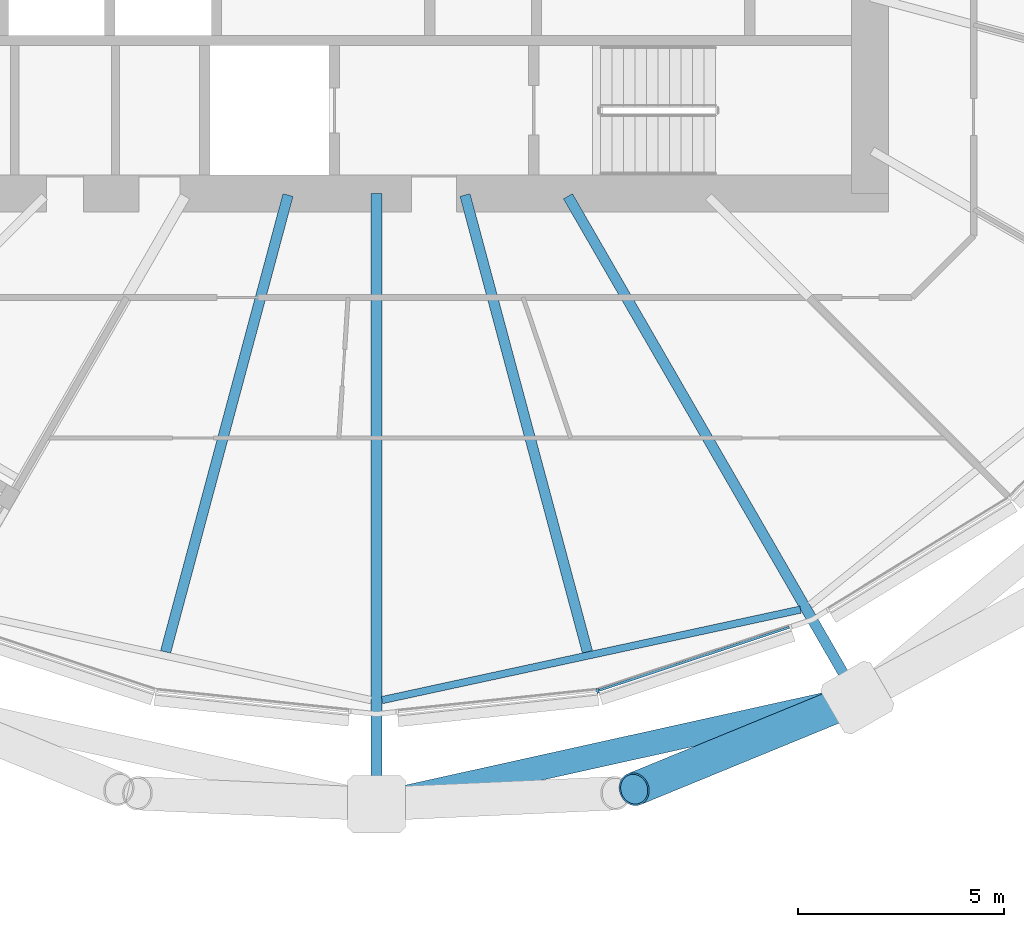
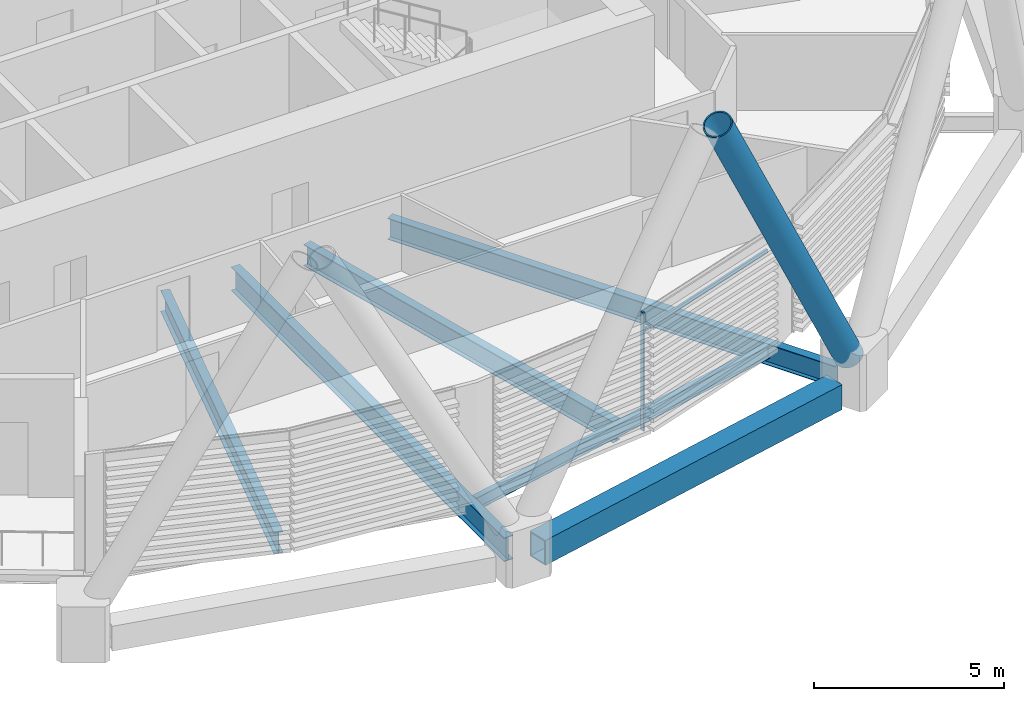
# One storey, part 4 of 40: 6 beams, 3 members, 1 element without a shape of its own.
"""IFC4 building model written with IfcOpenShell, lengths in metres."""

import ifcopenshell
import ifcopenshell.guid

model = None  # the IFC model being written
_history = None  # IfcOwnerHistory: only IFC2X3 demands one
_inside = {}  # id of a spatial element -> (the spatial element, [elements in it])
_under = {}  # id of a project, library or spatial element -> (it, [spatial elements below it])
_declared = {}  # id of a project -> (the project, [libraries it declares])
_typed = {}  # id of a type object -> (the type object, [elements of that type])
_made_of = {}  # id of a material, layer set ... -> (it, [elements and type objects made of it])


def new_model(schema):
    """Start an empty IFC model of exactly this schema.

    Asked for "IFC4X3", IfcOpenShell would pick the latest addendum, in which some entities
    have other attributes; the version numbers below select the first issue.
    IFC2X3 requires an IfcOwnerHistory on every rooted entity: one is made here for all.
    """
    global model, _history
    if schema == "IFC4X3":
        model = ifcopenshell.file(schema_version=(4, 3, 0, 0))
    else:
        model = ifcopenshell.file(schema=schema)
    _inside.clear()
    _under.clear()
    _declared.clear()
    _typed.clear()
    _made_of.clear()
    _history = None
    if model.schema == "IFC2X3":
        org = make("IfcOrganization", Name="unknown")
        user = make(
            "IfcPersonAndOrganization",
            ThePerson=make("IfcPerson", FamilyName="unknown"),
            TheOrganization=org,
        )
        app = make(
            "IfcApplication",
            ApplicationDeveloper=org,
            Version="unknown",
            ApplicationFullName="unknown",
            ApplicationIdentifier="unknown",
        )
        _history = make(
            "IfcOwnerHistory",
            OwningUser=user,
            OwningApplication=app,
            ChangeAction="ADDED",
            CreationDate=0,
        )
    return model


def make(cls, **values):
    """One entity of the class cls with the attributes given. An attribute that is None is left unset."""
    return model.create_entity(
        cls, **{name: value for name, value in values.items() if value is not None}
    )


def rooted(cls, **values):
    """An entity with a GlobalId (a new one), such as an element, a storey or a relation."""
    return make(cls, GlobalId=ifcopenshell.guid.new(), OwnerHistory=_history, **values)


def si_unit(unit_type, name, prefix=None):
    """IfcSIUnit, for example si_unit("LENGTHUNIT", "METRE", prefix="MILLI")."""
    return make("IfcSIUnit", UnitType=unit_type, Prefix=prefix, Name=name)


def assignment(units):
    """IfcUnitAssignment: the units of a project."""
    return None if units is None else make("IfcUnitAssignment", Units=units)


def point(xyz):
    """IfcCartesianPoint."""
    return None if xyz is None else make("IfcCartesianPoint", Coordinates=xyz)


def direction(xyz):
    """IfcDirection."""
    return None if xyz is None else make("IfcDirection", DirectionRatios=xyz)


def frame(location, z_axis=None, x_axis=None):
    """IfcAxis2Placement3D, a coordinate frame: its origin and axes. An axis left out is left unset."""
    return make(
        "IfcAxis2Placement3D",
        Location=point(location),
        Axis=direction(z_axis),
        RefDirection=direction(x_axis),
    )


def frame_2d(location, x_axis=None):
    """IfcAxis2Placement2D, a coordinate frame in the plane: its origin and x axis."""
    return make(
        "IfcAxis2Placement2D", Location=point(location), RefDirection=direction(x_axis)
    )


def origin():
    """The frame at (0, 0, 0) with its axes left unset."""
    return frame((0.0, 0.0, 0.0))


def origin_2d():
    """The frame at (0, 0) in the plane with its x axis left unset."""
    return frame_2d((0.0, 0.0))


def place(relative_to, where):
    """IfcLocalPlacement: puts the frame where relative to a parent placement (None: the world)."""
    return make(
        "IfcLocalPlacement", PlacementRelTo=relative_to, RelativePlacement=where
    )


def context(
    kind, dimensions, precision=None, world=None, true_north=None, identifier=None
):
    """IfcGeometricRepresentationContext, for example the 3D "Model" context."""
    return make(
        "IfcGeometricRepresentationContext",
        ContextIdentifier=identifier,
        ContextType=kind,
        CoordinateSpaceDimension=dimensions,
        Precision=precision,
        WorldCoordinateSystem=world,
        TrueNorth=true_north,
    )


def subcontext(parent, identifier, kind, view, scale=None):
    """IfcGeometricRepresentationSubContext, for example "Body" below "Model"."""
    return make(
        "IfcGeometricRepresentationSubContext",
        ContextIdentifier=identifier,
        ContextType=kind,
        ParentContext=parent,
        TargetScale=scale,
        TargetView=view,
    )


def project(units=None, contexts=None):
    """IfcProject with its units and contexts."""
    return rooted(
        "IfcProject",
        Name="project",
        RepresentationContexts=contexts,
        UnitsInContext=assignment(units),
    )


def spatial(cls, under=None, at=None, **own):
    """A site, building, storey or space (cls), placed at a placement, below another one or the project."""
    s = rooted(cls, ObjectPlacement=at, **own)
    if under is not None:
        _under.setdefault(under.id(), (under, []))[1].append(s)
    return s


def profile(cls, at=None, kind="AREA", **sizes):
    """A parametric profile (cls). Its sizes go by their IFC names, for example OverallWidth=200.0."""
    return make(cls, ProfileType=kind, Position=at, **sizes)


def rectangle(**sizes):
    """IfcRectangleProfileDef."""
    return profile("IfcRectangleProfileDef", **sizes)


def hollow_rectangle(**sizes):
    """IfcRectangleHollowProfileDef."""
    return profile("IfcRectangleHollowProfileDef", **sizes)


def hollow_circle(**sizes):
    """IfcCircleHollowProfileDef."""
    return profile("IfcCircleHollowProfileDef", **sizes)


def i_section(**sizes):
    """IfcIShapeProfileDef."""
    return profile("IfcIShapeProfileDef", **sizes)


def extrude(swept, where, along, depth):
    """IfcExtrudedAreaSolid: the profile swept, set in the frame where, extruded along a direction by depth."""
    return make(
        "IfcExtrudedAreaSolid",
        SweptArea=swept,
        Position=where,
        ExtrudedDirection=direction(along),
        Depth=depth,
    )


def shape(context_of_items, identifier, shape_type, items):
    """IfcShapeRepresentation: the items that make up one representation, for example the "Body"."""
    return make(
        "IfcShapeRepresentation",
        ContextOfItems=context_of_items,
        RepresentationIdentifier=identifier,
        RepresentationType=shape_type,
        Items=items,
    )


def material(Name=None, Category=None):
    """IfcMaterial."""
    return make("IfcMaterial", Name=Name, Category=Category)


def material_profile(
    of_material, cross_section, Name=None, Category=None, Priority=None
):
    """IfcMaterialProfile: a cross section and its material."""
    return make(
        "IfcMaterialProfile",
        Name=Name,
        Material=of_material,
        Profile=cross_section,
        Priority=Priority,
        Category=Category,
    )


def profile_set(profiles, Name=None, composite=None):
    """IfcMaterialProfileSet."""
    return make(
        "IfcMaterialProfileSet",
        Name=Name,
        MaterialProfiles=profiles,
        CompositeProfile=composite,
    )


def made_of(thing, what):
    """Note that an element or type object is made of a material, layer set ...; save() writes the relation."""
    if what is not None:
        _made_of.setdefault(what.id(), (what, []))[1].append(thing)
    return thing


def type_object(cls, material=None, **own):
    """A type object (cls), such as IfcWallType, which elements share."""
    return made_of(rooted(cls, **own), material)


def element(
    cls,
    number,
    at=None,
    inside=None,
    cuts=None,
    type_object=None,
    material=None,
    context=None,
    identifier="Body",
    shape_type=None,
    held_by="IfcProductDefinitionShape",
    body=None,
    shapes=None,
    **own,
):
    """One element of the class cls, such as IfcWall. Its Tag is "e" and its number.

    at: its placement. inside: the storey or other place that contains it. cuts: it is an
    opening in that element (IfcRelVoidsElement). A single representation is given by context,
    identifier, shape_type and body (its items); several are given by shapes. held_by: the class
    of the entity that holds the representations. save() writes the other relations.
    """
    e = rooted(cls, Tag="e%d" % number, ObjectPlacement=at, **own)
    if body is not None:
        shapes = [shape(context, identifier, shape_type, body)]
    if shapes is not None:
        e.Representation = make(held_by, Representations=shapes)
    if inside is not None:
        _inside.setdefault(inside.id(), (inside, []))[1].append(e)
    if cuts is not None:
        rooted(
            "IfcRelVoidsElement", RelatingBuildingElement=cuts, RelatedOpeningElement=e
        )
    if type_object is not None:
        _typed.setdefault(type_object.id(), (type_object, []))[1].append(e)
    return made_of(e, material)


def aggregate(whole, parts):
    """IfcRelAggregates: a whole, such as a stair, and the parts it consists of."""
    return rooted("IfcRelAggregates", RelatingObject=whole, RelatedObjects=parts)


def save(model, path):
    """Write the relations noted so far, then the file.

    IfcRelAggregates (storeys below a building ...), IfcRelContainedInSpatialStructure (elements
    in a storey), IfcRelDefinesByType, IfcRelAssociatesMaterial and IfcRelDeclares: one each for
    every whole, place, type object, material and project.
    """
    for whole, parts in _under.values():
        aggregate(whole, parts)
    for where, things in _inside.values():
        rooted(
            "IfcRelContainedInSpatialStructure",
            RelatedElements=things,
            RelatingStructure=where,
        )
    for kind, things in _typed.values():
        rooted("IfcRelDefinesByType", RelatedObjects=things, RelatingType=kind)
    for what, things in _made_of.values():
        rooted("IfcRelAssociatesMaterial", RelatedObjects=things, RelatingMaterial=what)
    for by, libraries in _declared.values():
        rooted("IfcRelDeclares", RelatingContext=by, RelatedDefinitions=libraries)
    model.write(path)


model = new_model("IFC4")

# Units and contexts
model_context = context("Model", 3, precision=1e-05, world=origin(), true_north=direction((0.0, 1.0)))
body_context = subcontext(model_context, "Body", "Model", "MODEL_VIEW")
ifc_project = project(units=[si_unit("LENGTHUNIT", "METRE"), si_unit("AREAUNIT", "SQUARE_METRE"), si_unit("VOLUMEUNIT", "CUBIC_METRE"), si_unit("PLANEANGLEUNIT", "RADIAN"), si_unit("MASSUNIT", "GRAM", prefix="KILO")], contexts=[model_context])

# Site, building, storey
site_placement = place(None, origin())
site = spatial("IfcSite", under=ifc_project, at=site_placement, CompositionType="ELEMENT")
building_placement = place(site_placement, origin())
building = spatial("IfcBuilding", under=site, at=building_placement, Name="Rimbun Link Towers", CompositionType="ELEMENT")
storey_placement = place(building_placement, frame((0.0, 0.0, 52.800048828125)))
storey = spatial("IfcBuildingStorey", under=building, at=storey_placement, Name="L12", CompositionType="ELEMENT", Elevation=52.800048828125)

# Curtain wall, members
ifc_material_1 = material(Name="Aluminium 6063-T6 and low-iron glass", Category="aluminium")
curtain_wall_type = type_object("IfcCurtainWallType", Name="CW1 unitised vision wall", PredefinedType="NOTDEFINED", material=ifc_material_1)
curtain_wall_placement = place(storey_placement, origin())
curtain_wall = element("IfcCurtainWall", 1, at=curtain_wall_placement, inside=storey, type_object=curtain_wall_type, Name="CW1 L12 T1", PredefinedType="NOTDEFINED")
ifc_material_2 = material(Name="Aluminium 6063-T6", Category="aluminium")
ifc_material_profile_1 = material_profile(ifc_material_2, rectangle(XDim=0.1201171875, YDim=0.06005859375, at=origin_2d()), Name="MULLION 60X120")
ifc_profile_set_1 = profile_set([ifc_material_profile_1], Name="Aluminium 6063-T6")
member_type_1 = type_object("IfcMemberType", Name="CW1 mullion 60X120", PredefinedType="MULLION", material=ifc_profile_set_1)
member_1_placement = place(storey_placement, frame((-26.369384765625, -20.09228515625, 0.0), z_axis=(0.0, 0.0, 1.0), x_axis=(0.210873842747, -0.977513285048, 0.0)))
member_1 = element("IfcMember", 2, at=member_1_placement, type_object=member_type_1, Name="CW1 mullion", PredefinedType="MULLION", context=body_context, shape_type="SweptSolid", body=[
    extrude(rectangle(XDim=0.1201171875, YDim=0.06005859375, at=origin_2d()), origin(), (0.0, 0.0, 1.0), 3.800048828125),
])
ifc_material_3 = material(Name="Aluminium 6063-T6", Category="aluminium")
ifc_material_profile_2 = material_profile(ifc_material_3, rectangle(XDim=0.06005859375, YDim=0.1201171875, at=origin_2d()), Name="TRANSOM 60X120")
ifc_profile_set_2 = profile_set([ifc_material_profile_2], Name="Aluminium 6063-T6")
member_type_2 = type_object("IfcMemberType", Name="CW1 transom 60X120", PredefinedType="USERDEFINED", material=ifc_profile_set_2)
member_2_placement = place(storey_placement, frame((-21.71142578125, -18.547119140625, 3.199951171875), z_axis=(-0.949238170968, -0.314558253392, 0.0), x_axis=(0.314558253392, -0.949238170968, 0.0)))
member_2 = element("IfcMember", 3, at=member_2_placement, type_object=member_type_2, Name="CW1 transom", ObjectType="TRANSOM", PredefinedType="USERDEFINED", context=body_context, shape_type="SweptSolid", body=[
    extrude(rectangle(XDim=0.06005859375, YDim=0.1201171875, at=origin_2d()), origin(), (0.0, 0.0, 1.0), 4.87109375),
])
aggregate(curtain_wall, [member_1, member_2])

# Member
ifc_material_4 = material(Name="Steel S460NH", Category="steel")
ifc_material_profile_3 = material_profile(ifc_material_4, hollow_circle(Radius=0.406494140625, WallThickness=0.0400390625, at=origin_2d()), Name="Diagrid diagonal CHS 813x40")
ifc_profile_set_3 = profile_set([ifc_material_profile_3], Name="Steel S460NH")
member_type_3 = type_object("IfcMemberType", Name="Diagrid diagonal CHS 813x40", PredefinedType="BRACE", material=ifc_profile_set_3)
member_3_placement = place(storey_placement, frame((-20.2724609375, -20.34765625, 0.440673828125), z_axis=(-0.436685293391, -0.179147169469, 0.881596419121), x_axis=(0.379545890298, -0.925172912032, 0.0)))
element("IfcMember", 4, at=member_3_placement, inside=storey, type_object=member_type_3, Name="Diagrid diagonal T1 L12-L15 20a", PredefinedType="BRACE", context=body_context, shape_type="SweptSolid", body=[
    extrude(hollow_circle(Radius=0.406494140625, WallThickness=0.0400390625, at=origin_2d()), origin(), (0.0, 0.0, 1.0), 11.93115234375),
])

# Beams
ifc_material_5 = material(Name="Steel S355J2", Category="steel")
ifc_material_profile_4 = material_profile(ifc_material_5, hollow_rectangle(XDim=0.60009765625, YDim=0.800048828125, WallThickness=0.0400390625, at=origin_2d()), Name="Exoskeleton ring girder BOX 600x800x40")
ifc_profile_set_4 = profile_set([ifc_material_profile_4], Name="Steel S355J2")
beam_type_1 = type_object("IfcBeamType", Name="Exoskeleton ring girder BOX 600x800x40", PredefinedType="BEAM", material=ifc_profile_set_4)
beam_1_placement = place(storey_placement, frame((-31.066650390625, -22.69775390625, -0.56005859375), z_axis=(0.976328566554, 0.216292695509, 0.0), x_axis=(-0.216292695509, 0.976328566554, 0.0)))
element("IfcBeam", 5, at=beam_1_placement, inside=storey, type_object=beam_type_1, Name="Exoskeleton ring girder L12 07", PredefinedType="BEAM", context=body_context, shape_type="SweptSolid", body=[
    extrude(hollow_rectangle(XDim=0.60009765625, YDim=0.800048828125, WallThickness=0.0400390625, at=origin_2d()), origin(), (0.0, 0.0, 1.0), 10.579833984375),
])
ifc_material_6 = material(Name="Steel S355J2", Category="steel")
ifc_material_profile_5 = material_profile(ifc_material_6, i_section(OverallWidth=0.177978515625, OverallDepth=0.406494140625, WebThickness=0.0078125, FlangeThickness=0.0126953125, at=origin_2d()), Name="UB 406x178x60")
ifc_profile_set_5 = profile_set([ifc_material_profile_5], Name="Steel S355J2")
beam_type_2 = type_object("IfcBeamType", Name="UB 406x178x60", PredefinedType="BEAM", material=ifc_profile_set_5)
beam_2_placement = place(storey_placement, frame((-31.61572265625, -20.318603515625, -0.36328125), z_axis=(0.977389159569, 0.211448411575, 0.0), x_axis=(-0.211448411575, 0.977389159569, 0.0)))
element("IfcBeam", 6, at=beam_2_placement, inside=storey, type_object=beam_type_2, Name="Edge beam T1 L12 18-20", PredefinedType="BEAM", context=body_context, shape_type="SweptSolid", body=[
    extrude(i_section(OverallWidth=0.177978515625, OverallDepth=0.406494140625, WebThickness=0.0078125, FlangeThickness=0.0126953125, at=origin_2d()), origin(), (0.0, 0.0, 1.0), 10.413330078125),
])
ifc_material_7 = material(Name="Steel S355J2", Category="steel")
ifc_material_profile_6 = material_profile(ifc_material_7, i_section(OverallWidth=0.253662109375, OverallDepth=0.68359375, WebThickness=0.012451171875, FlangeThickness=0.01904296875, at=origin_2d()), Name="UB 686x254x140")
ifc_profile_set_6 = profile_set([ifc_material_profile_6], Name="Steel S355J2")
beam_type_3 = type_object("IfcBeamType", Name="UB 686x254x140", PredefinedType="BEAM", material=ifc_profile_set_6)
for number, where, z_axis, x_axis, name in (
    (7, (-33.902587890625, -8.03369140625, -0.501708984375), (-0.258819531339, -0.965925696002, 0.0), (0.965925696002, -0.258819531339, 0.0), "Radial beam T1 L12 17"),
    (8, (-29.597412109375, -8.03369140625, -0.501708984375), (0.258819531339, -0.965925696002, 0.0), (0.965925696002, 0.258819531339, 0.0), "Radial beam T1 L12 19"),
):
    element("IfcBeam", number, at=place(storey_placement, frame(where, z_axis=z_axis, x_axis=x_axis)), inside=storey, type_object=beam_type_3, Name=name, PredefinedType="BEAM", context=body_context, shape_type="SweptSolid", body=[
        extrude(i_section(OverallWidth=0.253662109375, OverallDepth=0.68359375, WebThickness=0.012451171875, FlangeThickness=0.01904296875, at=origin_2d()), origin(), (0.0, 0.0, 1.0), 11.50439453125),
    ])
beam_3_placement = place(storey_placement, frame((-27.093994140625, -8.064208984375, -0.501708984375), z_axis=(0.499990635695, -0.866030810201, 0.0), x_axis=(0.866030810201, 0.499990635695, 0.0)))
element("IfcBeam", 9, at=beam_3_placement, inside=storey, type_object=beam_type_3, Name="Radial beam T1 L12 20", PredefinedType="BEAM", context=body_context, shape_type="SweptSolid", body=[
    extrude(i_section(OverallWidth=0.253662109375, OverallDepth=0.68359375, WebThickness=0.012451171875, FlangeThickness=0.01904296875, at=origin_2d()), origin(), (0.0, 0.0, 1.0), 13.580322265625),
])
ifc_material_8 = material(Name="Steel S355J2", Category="steel")
ifc_material_profile_7 = material_profile(ifc_material_8, i_section(OverallWidth=0.2666015625, OverallDepth=0.76220703125, WebThickness=0.014404296875, FlangeThickness=0.021484375, at=origin_2d()), Name="UB 762x267x173")
ifc_profile_set_7 = profile_set([ifc_material_profile_7], Name="Steel S355J2")
beam_type_4 = type_object("IfcBeamType", Name="UB 762x267x173", PredefinedType="BEAM", material=ifc_profile_set_7)
beam_4_placement = place(storey_placement, frame((-31.75, -8.0009765625, -0.541259765625), z_axis=(0.0, -1.0, 0.0), x_axis=(1.0, 0.0, 0.0)))
element("IfcBeam", 10, at=beam_4_placement, inside=storey, type_object=beam_type_4, Name="Radial beam T1 L12 18", PredefinedType="BEAM", context=body_context, shape_type="SweptSolid", body=[
    extrude(i_section(OverallWidth=0.2666015625, OverallDepth=0.76220703125, WebThickness=0.014404296875, FlangeThickness=0.021484375, at=origin_2d()), origin(), (0.0, 0.0, 1.0), 14.34814453125),
])

save(model, "model.ifc")
